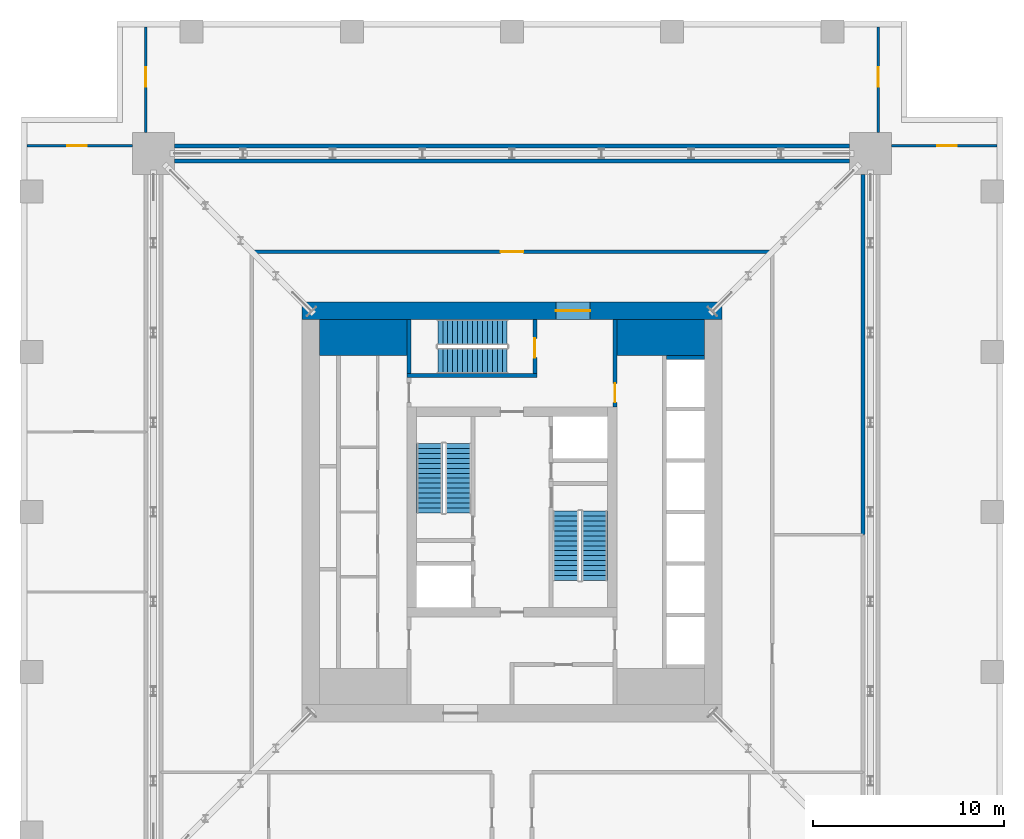
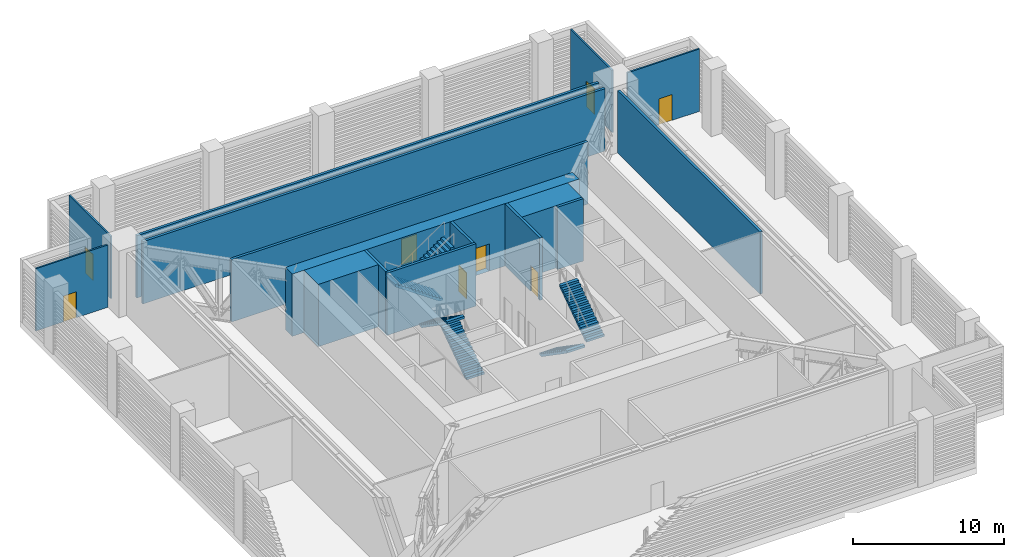
# One storey, part 11 of 16: 16 walls, 8 doors, 6 stair flights, 8 openings, 3 elements without a shape of their own.
"""IFC4 building model written with IfcOpenShell, lengths in metres."""

from ifc_helpers import new_model, si_unit, direction, frame, frame_2d, origin, place, context, subcontext, project, spatial, polyline, rectangle, outline, extrude, material, layer, layer_set, type_object, element, fill, aggregate, save


model = new_model("IFC4")

# Units and contexts
model_context = context("Model", 3, precision=1e-05, world=origin(), true_north=direction((0.0, 1.0)))
body_context = subcontext(model_context, "Body", "Model", "MODEL_VIEW")
ifc_project = project(units=[si_unit("LENGTHUNIT", "METRE"), si_unit("AREAUNIT", "SQUARE_METRE"), si_unit("VOLUMEUNIT", "CUBIC_METRE"), si_unit("PLANEANGLEUNIT", "RADIAN"), si_unit("MASSUNIT", "GRAM", prefix="KILO")], contexts=[model_context])

# Site, building, storey
site_placement = place(None, origin())
site = spatial("IfcSite", under=ifc_project, at=site_placement, CompositionType="ELEMENT")
building_placement = place(site_placement, origin())
building = spatial("IfcBuilding", under=site, at=building_placement, Name="Khepri Terraces", CompositionType="ELEMENT")
storey_placement = place(building_placement, frame((0.0, 0.0, 287.39990234375)))
storey = spatial("IfcBuildingStorey", under=building, at=storey_placement, Name="L69", CompositionType="ELEMENT", Elevation=287.39990234375)

# Walls
ifc_material_1 = material(Name="Concrete C40/50", Category="concrete")
ifc_layer_1 = layer(ifc_material_1, 1.89990234375, Name="Concrete C40/50", Category="concrete")
ifc_layer_set_1 = layer_set([ifc_layer_1], Name="Concrete C40/50")
wall_type_1 = type_object("IfcWallType", Name="Core wall 1900 C40/50", PredefinedType="SHEAR", material=ifc_layer_set_1)
for number, where, z_axis, x_axis, name in (
    (1, (-10.10009765625, 9.14990234375, 0.0), (0.0, 0.0, 1.0), (1.0, 0.0, 0.0), "Core wall PR03 L69"),
    (2, (5.5, 9.14990234375, 0.0), (0.0, 0.0, 1.0), (1.0, 0.0, 0.0), "Core wall PR04 L69"),
):
    element("IfcWall", number, at=place(storey_placement, frame(where, z_axis=z_axis, x_axis=x_axis)), inside=storey, type_object=wall_type_1, Name=name, PredefinedType="SHEAR", context=body_context, shape_type="SweptSolid", body=[
        extrude(rectangle(XDim=4.60009765625, YDim=1.89990234375, at=frame_2d((2.300048828125, 0.0))), origin(), (0.0, 0.0, 1.0), 5.050048828125),
    ])
ifc_layer_2 = layer(ifc_material_1, 0.199951171875, Name="Concrete C40/50", Category="concrete")
ifc_layer_set_2 = layer_set([ifc_layer_2], Name="Concrete C40/50")
wall_type_2 = type_object("IfcWallType", Name="Core wall 200 C40/50", PredefinedType="SHEAR", material=ifc_layer_set_2)
wall_1_placement = place(storey_placement, frame((-5.5, 7.14990234375, 0.0), z_axis=(0.0, 0.0, 1.0), x_axis=(1.0, 0.0, 0.0)))
element("IfcWall", 3, at=wall_1_placement, inside=storey, type_object=wall_type_2, Name="Core wall ST05 L69", PredefinedType="SHEAR", context=body_context, shape_type="SweptSolid", body=[
    extrude(rectangle(XDim=6.800048828125, YDim=0.199951171875, at=frame_2d((3.39990234375, 0.0))), origin(), (0.0, 0.0, 1.0), 5.050048828125),
])
wall_2_placement = place(storey_placement, frame((-5.39990234375, 7.25, 0.0), z_axis=(0.0, 0.0, 1.0), x_axis=(0.0, 1.0, 0.0)))
element("IfcWall", 4, at=wall_2_placement, inside=storey, type_object=wall_type_2, Name="Core wall ST06 L69", PredefinedType="SHEAR", context=body_context, shape_type="SweptSolid", body=[
    extrude(rectangle(XDim=2.85009765625, YDim=0.199951171875, at=frame_2d((1.425048828125, 0.0))), origin(), (0.0, 0.0, 1.0), 5.050048828125),
])

# Wall, opening, door
wall_3_placement = place(storey_placement, frame((1.199951171875, 7.25, 0.0), z_axis=(0.0, 0.0, 1.0), x_axis=(0.0, 1.0, 0.0)))
wall_3 = element("IfcWall", 5, at=wall_3_placement, inside=storey, type_object=wall_type_2, Name="Core wall ST07 L69", PredefinedType="SHEAR", context=body_context, shape_type="SweptSolid", body=[
    extrude(rectangle(XDim=2.85009765625, YDim=0.199951171875, at=frame_2d((1.425048828125, 0.0))), origin(), (0.0, 0.0, 1.0), 5.050048828125),
])
opening_1_placement = place(wall_3_placement, frame((0.85009765625, 0.0, 0.0)))
opening_1 = element("IfcOpeningElement", 6, at=opening_1_placement, cuts=wall_3, Name="Opening L69-C09", PredefinedType="OPENING", context=body_context, shape_type="SweptSolid", body=[
    extrude(rectangle(XDim=1.0, YDim=2.10009765625, at=frame_2d((0.5, 1.050048828125))), frame((0.0, 0.10986328125, 0.0), z_axis=(0.0, -1.0, 0.0), x_axis=(1.0, 0.0, 0.0)), (0.0, 0.0, 1.0), 0.219970703125),
])
ifc_material_2 = material(Name="Painted steel", Category="steel")
door_type_1 = type_object("IfcDoorType", Name="DR-CORE-STAIR-1000", OperationType="NOTDEFINED", PredefinedType="DOOR", material=ifc_material_2)
door_1_placement = place(opening_1_placement, origin())
door_1 = element("IfcDoor", 7, at=door_1_placement, inside=storey, type_object=door_type_1, Name="Stair door L69-C09", OperationType="SINGLE_SWING_LEFT", OverallHeight=2.10009765625, OverallWidth=1.0, PredefinedType="DOOR", context=body_context, shape_type="SweptSolid", body=[
    extrude(rectangle(XDim=1.0, YDim=2.10009765625, at=frame_2d((0.5, 1.050048828125))), frame((0.0, 0.02490234375, 0.0), z_axis=(0.0, -1.0, 0.0), x_axis=(1.0, 0.0, 0.0)), (0.0, 0.0, 1.0), 0.050048828125),
])
fill(opening_1, door_1)

# Wall
wall_4_placement = place(storey_placement, frame((8.10009765625, 8.10009765625, 0.0), z_axis=(0.0, 0.0, 1.0), x_axis=(1.0, 0.0, 0.0)))
element("IfcWall", 8, at=wall_4_placement, inside=storey, type_object=wall_type_2, Name="Core wall SH15 L69", PredefinedType="SHEAR", context=body_context, shape_type="SweptSolid", body=[
    extrude(rectangle(XDim=2.0, YDim=0.199951171875, at=frame_2d((1.0, 0.0))), origin(), (0.0, 0.0, 1.0), 5.050048828125),
])

# Wall, opening, door
ifc_layer_3 = layer(ifc_material_1, 0.89990234375, Name="Concrete C40/50", Category="concrete")
ifc_layer_set_3 = layer_set([ifc_layer_3], Name="Concrete C40/50")
wall_type_3 = type_object("IfcWallType", Name="Core wall 900 C40/50", PredefinedType="SHEAR", material=ifc_layer_set_3)
wall_5_placement = place(storey_placement, frame((-11.0, 10.550048828125, 0.0), z_axis=(0.0, 0.0, 1.0), x_axis=(1.0, 0.0, 0.0)))
wall_5 = element("IfcWall", 9, at=wall_5_placement, inside=storey, type_object=wall_type_3, Name="Core wall OW-N L69", PredefinedType="SHEAR", context=body_context, shape_type="SweptSolid", body=[
    extrude(rectangle(XDim=22.0, YDim=0.89990234375, at=frame_2d((11.0, 0.0))), origin(), (0.0, 0.0, 1.0), 5.050048828125),
])
opening_2_placement = place(wall_5_placement, frame((13.300048828125, 0.0, 0.0)))
opening_2 = element("IfcOpeningElement", 10, at=opening_2_placement, cuts=wall_5, Name="Opening L69-C14", PredefinedType="OPENING", context=body_context, shape_type="SweptSolid", body=[
    extrude(rectangle(XDim=1.800048828125, YDim=2.199951171875, at=frame_2d((0.89990234375, 1.10009765625))), frame((0.0, 0.4599609375, 0.0), z_axis=(0.0, -1.0, 0.0), x_axis=(1.0, 0.0, 0.0)), (0.0, 0.0, 1.0), 0.919921875),
])
door_type_2 = type_object("IfcDoorType", Name="DR-CORE-ENTRANCE-1800", OperationType="NOTDEFINED", PredefinedType="DOOR", material=ifc_material_2)
door_2_placement = place(opening_2_placement, origin())
door_2 = element("IfcDoor", 11, at=door_2_placement, inside=storey, type_object=door_type_2, Name="Core entrance door pair L69-C14", OperationType="DOUBLE_DOOR_SINGLE_SWING", OverallHeight=2.199951171875, OverallWidth=1.800048828125, PredefinedType="DOOR", context=body_context, shape_type="SweptSolid", body=[
    extrude(rectangle(XDim=1.800048828125, YDim=2.199951171875, at=frame_2d((0.89990234375, 1.10009765625))), frame((0.0, 0.02490234375, 0.0), z_axis=(0.0, -1.0, 0.0), x_axis=(1.0, 0.0, 0.0)), (0.0, 0.0, 1.0), 0.050048828125),
])
fill(opening_2, door_2)

ifc_material_3 = material(Name="Fire-rated gypsum board partition")
ifc_layer_4 = layer(ifc_material_3, 0.199951171875, Name="Fire-rated gypsum board partition")
ifc_layer_set_4 = layer_set([ifc_layer_4], Name="Fire-rated gypsum board partition")
wall_type_4 = type_object("IfcWallType", Name="WL-CORE-PART-200", PredefinedType="PARTITIONING", material=ifc_layer_set_4)
wall_6_placement = place(storey_placement, frame((5.39990234375, 5.5, 0.0), z_axis=(0.0, 0.0, 1.0), x_axis=(0.0, 1.0, 0.0)))
wall_6 = element("IfcWall", 12, at=wall_6_placement, inside=storey, type_object=wall_type_4, Name="Core partition PT10 L69", PredefinedType="PARTITIONING", context=body_context, shape_type="SweptSolid", body=[
    extrude(rectangle(XDim=4.60009765625, YDim=0.199951171875, at=frame_2d((2.300048828125, 0.0))), origin(), (0.0, 0.0, 1.0), 5.050048828125),
])
opening_3_placement = place(wall_6_placement, frame((0.25, 0.0, 0.0)))
opening_3 = element("IfcOpeningElement", 13, at=opening_3_placement, cuts=wall_6, Name="Opening L69-C11", PredefinedType="OPENING", context=body_context, shape_type="SweptSolid", body=[
    extrude(rectangle(XDim=1.0, YDim=2.10009765625, at=frame_2d((0.5, 1.050048828125))), frame((0.0, 0.10986328125, 0.0), z_axis=(0.0, -1.0, 0.0), x_axis=(1.0, 0.0, 0.0)), (0.0, 0.0, 1.0), 0.219970703125),
])
door_type_3 = type_object("IfcDoorType", Name="DR-CORE-LOBBY-1000", OperationType="NOTDEFINED", PredefinedType="DOOR", material=ifc_material_2)
door_3_placement = place(opening_3_placement, origin())
door_3 = element("IfcDoor", 14, at=door_3_placement, inside=storey, type_object=door_type_3, Name="Lobby door L69-C11", OperationType="SINGLE_SWING_LEFT", OverallHeight=2.10009765625, OverallWidth=1.0, PredefinedType="DOOR", context=body_context, shape_type="SweptSolid", body=[
    extrude(rectangle(XDim=1.0, YDim=2.10009765625, at=frame_2d((0.5, 1.050048828125))), frame((0.0, 0.02490234375, 0.0), z_axis=(0.0, -1.0, 0.0), x_axis=(1.0, 0.0, 0.0)), (0.0, 0.0, 1.0), 0.050048828125),
])
fill(opening_3, door_3)

# Wall
ifc_material_4 = material(Name="Fire-rated gypsum plasterboard partition, mineral wool")
ifc_layer_5 = layer(ifc_material_4, 0.199951171875, Name="Fire-rated gypsum plasterboard partition, mineral wool")
ifc_layer_set_5 = layer_set([ifc_layer_5], Name="Fire-rated gypsum plasterboard partition, mineral wool")
wall_type_5 = type_object("IfcWallType", Name="WL-CORR-200", PredefinedType="PARTITIONING", material=ifc_layer_set_5)
wall_7_placement = place(storey_placement, frame((18.39990234375, -1.179931640625, 0.0), z_axis=(0.0, 0.0, 1.0), x_axis=(0.0, 1.0, 0.0)))
element("IfcWall", 15, at=wall_7_placement, inside=storey, type_object=wall_type_5, Name="Partition P-031 L69", PredefinedType="PARTITIONING", context=body_context, shape_type="SweptSolid", body=[
    extrude(rectangle(XDim=18.8798828125, YDim=0.199951171875, at=frame_2d((9.43994140625, 0.0))), origin(), (0.0, 0.0, 1.0), 5.050048828125),
])

# Wall, opening, door
wall_8_placement = place(storey_placement, frame((-13.64990234375, 13.64990234375, 0.0), z_axis=(0.0, 0.0, 1.0), x_axis=(1.0, 0.0, 0.0)))
wall_8 = element("IfcWall", 16, at=wall_8_placement, inside=storey, type_object=wall_type_5, Name="Partition P-034 L69", PredefinedType="PARTITIONING", context=body_context, shape_type="SweptSolid", body=[
    extrude(rectangle(XDim=27.2998046875, YDim=0.199951171875, at=frame_2d((13.64990234375, 0.0))), origin(), (0.0, 0.0, 1.0), 5.050048828125),
])
opening_4_placement = place(wall_8_placement, frame((13.050048828125, 0.0, 0.0)))
opening_4 = element("IfcOpeningElement", 17, at=opening_4_placement, cuts=wall_8, Name="Opening D6", PredefinedType="OPENING", context=body_context, shape_type="SweptSolid", body=[
    extrude(rectangle(XDim=1.199951171875, YDim=2.10009765625, at=frame_2d((0.60009765625, 1.050048828125))), frame((0.0, 0.10986328125, 0.0), z_axis=(0.0, -1.0, 0.0), x_axis=(1.0, 0.0, 0.0)), (0.0, 0.0, 1.0), 0.219970703125),
])
ifc_material_5 = material(Name="Timber door leaf, public room, fire-rated", Category="wood")
door_type_4 = type_object("IfcDoorType", Name="DR-PUB-1200", OperationType="NOTDEFINED", PredefinedType="DOOR", material=ifc_material_5)
door_4_placement = place(opening_4_placement, origin())
door_4 = element("IfcDoor", 18, at=door_4_placement, inside=storey, type_object=door_type_4, Name="Door Refuge Area", OperationType="SINGLE_SWING_RIGHT", OverallHeight=2.10009765625, OverallWidth=1.199951171875, PredefinedType="DOOR", context=body_context, shape_type="SweptSolid", body=[
    extrude(rectangle(XDim=1.199951171875, YDim=2.10009765625, at=frame_2d((0.60009765625, 1.050048828125))), frame((0.0, 0.02490234375, 0.0), z_axis=(0.0, -1.0, 0.0), x_axis=(1.0, 0.0, 0.0)), (0.0, 0.0, 1.0), 0.050048828125),
])
fill(opening_4, door_4)

# Walls
for number, where, z_axis, x_axis, name in (
    (19, (-17.699951171875, 18.39990234375, 0.0), (0.0, 0.0, 1.0), (1.0, 0.0, 0.0), "Partition P-035 L69"),
    (20, (-17.699951171875, 19.199951171875, 0.0), (0.0, 0.0, 1.0), (1.0, 0.0, 0.0), "Partition P-037 L69"),
):
    element("IfcWall", number, at=place(storey_placement, frame(where, z_axis=z_axis, x_axis=x_axis)), inside=storey, type_object=wall_type_5, Name=name, PredefinedType="PARTITIONING", context=body_context, shape_type="SweptSolid", body=[
        extrude(rectangle(XDim=35.39990234375, YDim=0.199951171875, at=frame_2d((17.699951171875, 0.0))), origin(), (0.0, 0.0, 1.0), 5.050048828125),
    ])

# Wall, opening, door
ifc_material_6 = material(Name="Gypsum plasterboard partition")
ifc_layer_6 = layer(ifc_material_6, 0.1201171875, Name="Gypsum plasterboard partition")
ifc_layer_set_6 = layer_set([ifc_layer_6], Name="Gypsum plasterboard partition")
wall_type_6 = type_object("IfcWallType", Name="WL-PART-120", PredefinedType="PARTITIONING", material=ifc_layer_set_6)
wall_9_placement = place(storey_placement, frame((-25.419921875, 19.199951171875, 0.0), z_axis=(0.0, 0.0, 1.0), x_axis=(1.0, 0.0, 0.0)))
wall_9 = element("IfcWall", 21, at=wall_9_placement, inside=storey, type_object=wall_type_6, Name="Partition P-036 L69", PredefinedType="PARTITIONING", context=body_context, shape_type="SweptSolid", body=[
    extrude(rectangle(XDim=5.52001953125, YDim=0.1201171875, at=frame_2d((2.760009765625, 0.0))), origin(), (0.0, 0.0, 1.0), 5.050048828125),
])
opening_5_placement = place(wall_9_placement, frame((2.110107421875, 0.0, 0.0)))
opening_5 = element("IfcOpeningElement", 22, at=opening_5_placement, cuts=wall_9, Name="Opening D2", PredefinedType="OPENING", context=body_context, shape_type="SweptSolid", body=[
    extrude(rectangle(XDim=1.0, YDim=2.10009765625, at=frame_2d((0.5, 1.050048828125))), frame((0.0, 0.070068359375, 0.0), z_axis=(0.0, -1.0, 0.0), x_axis=(1.0, 0.0, 0.0)), (0.0, 0.0, 1.0), 0.14013671875),
])
ifc_material_7 = material(Name="Timber door leaf, living room door", Category="wood")
door_type_5 = type_object("IfcDoorType", Name="DR-INT-1000", OperationType="NOTDEFINED", PredefinedType="DOOR", material=ifc_material_7)
door_5_placement = place(opening_5_placement, frame((1.0, 0.0, 0.0), z_axis=(0.0, 0.0, 1.0), x_axis=(-1.0, 0.0, 0.0)))
door_5 = element("IfcDoor", 23, at=door_5_placement, inside=storey, type_object=door_type_5, Name="Door Exhaust Fan Room", OperationType="SINGLE_SWING_RIGHT", OverallHeight=2.10009765625, OverallWidth=1.0, PredefinedType="DOOR", context=body_context, shape_type="SweptSolid", body=[
    extrude(rectangle(XDim=1.0, YDim=2.10009765625, at=frame_2d((0.5, 1.050048828125))), frame((0.0, 0.02490234375, 0.0), z_axis=(0.0, -1.0, 0.0), x_axis=(1.0, 0.0, 0.0)), (0.0, 0.0, 1.0), 0.050048828125),
])
fill(opening_5, door_5)

wall_10_placement = place(storey_placement, frame((19.89990234375, 19.199951171875, 0.0), z_axis=(0.0, 0.0, 1.0), x_axis=(1.0, 0.0, 0.0)))
wall_10 = element("IfcWall", 24, at=wall_10_placement, inside=storey, type_object=wall_type_6, Name="Partition P-038 L69", PredefinedType="PARTITIONING", context=body_context, shape_type="SweptSolid", body=[
    extrude(rectangle(XDim=5.52001953125, YDim=0.1201171875, at=frame_2d((2.760009765625, 0.0))), origin(), (0.0, 0.0, 1.0), 5.050048828125),
])
opening_6_placement = place(wall_10_placement, frame((2.409912109375, 0.0, 0.0)))
opening_6 = element("IfcOpeningElement", 25, at=opening_6_placement, cuts=wall_10, Name="Opening D2", PredefinedType="OPENING", context=body_context, shape_type="SweptSolid", body=[
    extrude(rectangle(XDim=1.0, YDim=2.10009765625, at=frame_2d((0.5, 1.050048828125))), frame((0.0, 0.070068359375, 0.0), z_axis=(0.0, -1.0, 0.0), x_axis=(1.0, 0.0, 0.0)), (0.0, 0.0, 1.0), 0.14013671875),
])
door_6_placement = place(opening_6_placement, origin())
door_6 = element("IfcDoor", 26, at=door_6_placement, inside=storey, type_object=door_type_5, Name="Door Transformer Room", OperationType="SINGLE_SWING_RIGHT", OverallHeight=2.10009765625, OverallWidth=1.0, PredefinedType="DOOR", context=body_context, shape_type="SweptSolid", body=[
    extrude(rectangle(XDim=1.0, YDim=2.10009765625, at=frame_2d((0.5, 1.050048828125))), frame((0.0, 0.02490234375, 0.0), z_axis=(0.0, -1.0, 0.0), x_axis=(1.0, 0.0, 0.0)), (0.0, 0.0, 1.0), 0.050048828125),
])
fill(opening_6, door_6)

wall_11_placement = place(storey_placement, frame((-19.199951171875, 19.89990234375, 0.0), z_axis=(0.0, 0.0, 1.0), x_axis=(0.0, 1.0, 0.0)))
wall_11 = element("IfcWall", 27, at=wall_11_placement, inside=storey, type_object=wall_type_6, Name="Partition P-039 L69", PredefinedType="PARTITIONING", context=body_context, shape_type="SweptSolid", body=[
    extrude(rectangle(XDim=5.52001953125, YDim=0.1201171875, at=frame_2d((2.760009765625, 0.0))), origin(), (0.0, 0.0, 1.0), 5.050048828125),
])
opening_7_placement = place(wall_11_placement, frame((2.409912109375, 0.0, 0.0)))
opening_7 = element("IfcOpeningElement", 28, at=opening_7_placement, cuts=wall_11, Name="Opening D2", PredefinedType="OPENING", context=body_context, shape_type="SweptSolid", body=[
    extrude(rectangle(XDim=1.0, YDim=2.10009765625, at=frame_2d((0.5, 1.050048828125))), frame((0.0, 0.070068359375, 0.0), z_axis=(0.0, -1.0, 0.0), x_axis=(1.0, 0.0, 0.0)), (0.0, 0.0, 1.0), 0.14013671875),
])
door_7_placement = place(opening_7_placement, origin())
door_7 = element("IfcDoor", 29, at=door_7_placement, inside=storey, type_object=door_type_5, Name="Door Pump Room", OperationType="SINGLE_SWING_RIGHT", OverallHeight=2.10009765625, OverallWidth=1.0, PredefinedType="DOOR", context=body_context, shape_type="SweptSolid", body=[
    extrude(rectangle(XDim=1.0, YDim=2.10009765625, at=frame_2d((0.5, 1.050048828125))), frame((0.0, 0.02490234375, 0.0), z_axis=(0.0, -1.0, 0.0), x_axis=(1.0, 0.0, 0.0)), (0.0, 0.0, 1.0), 0.050048828125),
])
fill(opening_7, door_7)

wall_12_placement = place(storey_placement, frame((19.199951171875, 19.89990234375, 0.0), z_axis=(0.0, 0.0, 1.0), x_axis=(0.0, 1.0, 0.0)))
wall_12 = element("IfcWall", 30, at=wall_12_placement, inside=storey, type_object=wall_type_6, Name="Partition P-040 L69", PredefinedType="PARTITIONING", context=body_context, shape_type="SweptSolid", body=[
    extrude(rectangle(XDim=5.52001953125, YDim=0.1201171875, at=frame_2d((2.760009765625, 0.0))), origin(), (0.0, 0.0, 1.0), 5.050048828125),
])
opening_8_placement = place(wall_12_placement, frame((2.409912109375, 0.0, 0.0)))
opening_8 = element("IfcOpeningElement", 31, at=opening_8_placement, cuts=wall_12, Name="Opening D2", PredefinedType="OPENING", context=body_context, shape_type="SweptSolid", body=[
    extrude(rectangle(XDim=1.0, YDim=2.10009765625, at=frame_2d((0.5, 1.050048828125))), frame((0.0, 0.070068359375, 0.0), z_axis=(0.0, -1.0, 0.0), x_axis=(1.0, 0.0, 0.0)), (0.0, 0.0, 1.0), 0.14013671875),
])
door_8_placement = place(opening_8_placement, origin())
door_8 = element("IfcDoor", 32, at=door_8_placement, inside=storey, type_object=door_type_5, Name="Door Air Handling Plant Hall", OperationType="SINGLE_SWING_RIGHT", OverallHeight=2.10009765625, OverallWidth=1.0, PredefinedType="DOOR", context=body_context, shape_type="SweptSolid", body=[
    extrude(rectangle(XDim=1.0, YDim=2.10009765625, at=frame_2d((0.5, 1.050048828125))), frame((0.0, 0.02490234375, 0.0), z_axis=(0.0, -1.0, 0.0), x_axis=(1.0, 0.0, 0.0)), (0.0, 0.0, 1.0), 0.050048828125),
])
fill(opening_8, door_8)

# Stair, stair flights
stair_type = type_object("IfcStairType", Name="STAIR-RC-30R", PredefinedType="HALF_TURN_STAIR", material=ifc_material_1)
stair_1_placement = place(storey_placement, origin())
stair_1 = element("IfcStair", 33, at=stair_1_placement, inside=storey, type_object=stair_type, Name="L69 Exit Stair ST-1", PredefinedType="HALF_TURN_STAIR")
stair_flight_type = type_object("IfcStairFlightType", Name="SFL-RC-180", PredefinedType="STRAIGHT", material=ifc_material_1)
stair_flight_1_placement = place(storey_placement, frame((-2.824951171875, -0.050048828125, 0.0), z_axis=(0.0, 0.0, 1.0), x_axis=(0.0, 1.0, 0.0)))
stair_flight_1 = element("IfcStairFlight", 34, at=stair_flight_1_placement, type_object=stair_flight_type, Name="ST-1 flight 1", NumberOfRisers=15, NumberOfTreads=14, PredefinedType="STRAIGHT", RiserHeight=0.18, TreadLength=0.26, context=body_context, shape_type="SweptSolid", body=[
    extrude(outline(polyline([(0.0, 0.0), (0.0, 0.179931640625), (0.260009765625, 0.179931640625), (0.260009765625, 0.360107421875), (0.52001953125, 0.360107421875), (0.52001953125, 0.5400390625), (0.780029296875, 0.5400390625), (0.780029296875, 0.719970703125), (1.0400390625, 0.719970703125), (1.0400390625, 0.89990234375), (1.300048828125, 0.89990234375), (1.300048828125, 1.080078125), (1.56005859375, 1.080078125), (1.56005859375, 1.260009765625), (1.820068359375, 1.260009765625), (1.820068359375, 1.43994140625), (2.080078125, 1.43994140625), (2.080078125, 1.6201171875), (2.340087890625, 1.6201171875), (2.340087890625, 1.800048828125), (2.60009765625, 1.800048828125), (2.60009765625, 1.97998046875), (2.860107421875, 1.97998046875), (2.860107421875, 2.159912109375), (3.1201171875, 2.159912109375), (3.1201171875, 2.340087890625), (3.3798828125, 2.340087890625), (3.3798828125, 2.52001953125), (3.639892578125, 2.52001953125), (3.639892578125, 2.699951171875), (3.639892578125, 2.337646484375), (0.263427734375, 0.0), (0.0, 0.0)])), frame((0.0, 0.675048828125, 0.0), z_axis=(0.0, -1.0, 0.0), x_axis=(1.0, 0.0, 0.0)), (0.0, 0.0, 1.0), 1.35009765625),
])
stair_flight_2_placement = place(storey_placement, frame((-4.324951171875, 3.590087890625, 2.7001953125), z_axis=(0.0, 0.0, 1.0), x_axis=(0.0, -1.0, 0.0)))
stair_flight_2 = element("IfcStairFlight", 35, at=stair_flight_2_placement, type_object=stair_flight_type, Name="ST-1 flight 2", NumberOfRisers=15, NumberOfTreads=14, PredefinedType="STRAIGHT", RiserHeight=0.18, TreadLength=0.26, context=body_context, shape_type="SweptSolid", body=[
    extrude(outline(polyline([(0.0, 0.0), (0.0, 0.179931640625), (0.260009765625, 0.179931640625), (0.260009765625, 0.360107421875), (0.52001953125, 0.360107421875), (0.52001953125, 0.5400390625), (0.780029296875, 0.5400390625), (0.780029296875, 0.719970703125), (1.0400390625, 0.719970703125), (1.0400390625, 0.89990234375), (1.300048828125, 0.89990234375), (1.300048828125, 1.080078125), (1.56005859375, 1.080078125), (1.56005859375, 1.260009765625), (1.820068359375, 1.260009765625), (1.820068359375, 1.43994140625), (2.080078125, 1.43994140625), (2.080078125, 1.6201171875), (2.340087890625, 1.6201171875), (2.340087890625, 1.800048828125), (2.60009765625, 1.800048828125), (2.60009765625, 1.97998046875), (2.860107421875, 1.97998046875), (2.860107421875, 2.159912109375), (3.1201171875, 2.159912109375), (3.1201171875, 2.340087890625), (3.3798828125, 2.340087890625), (3.3798828125, 2.52001953125), (3.639892578125, 2.52001953125), (3.639892578125, 2.699951171875), (3.639892578125, 2.337646484375), (0.263427734375, 0.0), (0.0, 0.0)])), frame((0.0, 0.675048828125, 0.0), z_axis=(0.0, -1.0, 0.0), x_axis=(1.0, 0.0, 0.0)), (0.0, 0.0, 1.0), 1.35009765625),
])
aggregate(stair_1, [stair_flight_1, stair_flight_2])

stair_2_placement = place(storey_placement, origin())
stair_2 = element("IfcStair", 36, at=stair_2_placement, inside=storey, type_object=stair_type, Name="L69 Exit Stair ST-2", PredefinedType="HALF_TURN_STAIR")
stair_flight_3_placement = place(storey_placement, frame((2.824951171875, 0.050048828125, 0.0), z_axis=(0.0, 0.0, 1.0), x_axis=(0.0, -1.0, 0.0)))
stair_flight_3 = element("IfcStairFlight", 37, at=stair_flight_3_placement, type_object=stair_flight_type, Name="ST-2 flight 1", NumberOfRisers=15, NumberOfTreads=14, PredefinedType="STRAIGHT", RiserHeight=0.18, TreadLength=0.26, context=body_context, shape_type="SweptSolid", body=[
    extrude(outline(polyline([(0.0, 0.0), (0.0, 0.179931640625), (0.260009765625, 0.179931640625), (0.260009765625, 0.360107421875), (0.52001953125, 0.360107421875), (0.52001953125, 0.5400390625), (0.780029296875, 0.5400390625), (0.780029296875, 0.719970703125), (1.0400390625, 0.719970703125), (1.0400390625, 0.89990234375), (1.300048828125, 0.89990234375), (1.300048828125, 1.080078125), (1.56005859375, 1.080078125), (1.56005859375, 1.260009765625), (1.820068359375, 1.260009765625), (1.820068359375, 1.43994140625), (2.080078125, 1.43994140625), (2.080078125, 1.6201171875), (2.340087890625, 1.6201171875), (2.340087890625, 1.800048828125), (2.60009765625, 1.800048828125), (2.60009765625, 1.97998046875), (2.860107421875, 1.97998046875), (2.860107421875, 2.159912109375), (3.1201171875, 2.159912109375), (3.1201171875, 2.340087890625), (3.3798828125, 2.340087890625), (3.3798828125, 2.52001953125), (3.639892578125, 2.52001953125), (3.639892578125, 2.699951171875), (3.639892578125, 2.337646484375), (0.263427734375, 0.0), (0.0, 0.0)])), frame((0.0, 0.675048828125, 0.0), z_axis=(0.0, -1.0, 0.0), x_axis=(1.0, 0.0, 0.0)), (0.0, 0.0, 1.0), 1.35009765625),
])
stair_flight_4_placement = place(storey_placement, frame((4.324951171875, -3.590087890625, 2.7001953125), z_axis=(0.0, 0.0, 1.0), x_axis=(0.0, 1.0, 0.0)))
stair_flight_4 = element("IfcStairFlight", 38, at=stair_flight_4_placement, type_object=stair_flight_type, Name="ST-2 flight 2", NumberOfRisers=15, NumberOfTreads=14, PredefinedType="STRAIGHT", RiserHeight=0.18, TreadLength=0.26, context=body_context, shape_type="SweptSolid", body=[
    extrude(outline(polyline([(0.0, 0.0), (0.0, 0.179931640625), (0.260009765625, 0.179931640625), (0.260009765625, 0.360107421875), (0.52001953125, 0.360107421875), (0.52001953125, 0.5400390625), (0.780029296875, 0.5400390625), (0.780029296875, 0.719970703125), (1.0400390625, 0.719970703125), (1.0400390625, 0.89990234375), (1.300048828125, 0.89990234375), (1.300048828125, 1.080078125), (1.56005859375, 1.080078125), (1.56005859375, 1.260009765625), (1.820068359375, 1.260009765625), (1.820068359375, 1.43994140625), (2.080078125, 1.43994140625), (2.080078125, 1.6201171875), (2.340087890625, 1.6201171875), (2.340087890625, 1.800048828125), (2.60009765625, 1.800048828125), (2.60009765625, 1.97998046875), (2.860107421875, 1.97998046875), (2.860107421875, 2.159912109375), (3.1201171875, 2.159912109375), (3.1201171875, 2.340087890625), (3.3798828125, 2.340087890625), (3.3798828125, 2.52001953125), (3.639892578125, 2.52001953125), (3.639892578125, 2.699951171875), (3.639892578125, 2.337646484375), (0.263427734375, 0.0), (0.0, 0.0)])), frame((0.0, 0.675048828125, 0.0), z_axis=(0.0, -1.0, 0.0), x_axis=(1.0, 0.0, 0.0)), (0.0, 0.0, 1.0), 1.35009765625),
])
aggregate(stair_2, [stair_flight_3, stair_flight_4])

stair_3_placement = place(storey_placement, origin())
stair_3 = element("IfcStair", 39, at=stair_3_placement, inside=storey, type_object=stair_type, Name="L69 Exit Stair ST-3", PredefinedType="HALF_TURN_STAIR")
stair_flight_5_placement = place(storey_placement, frame((-0.25, 9.425048828125, 0.0), z_axis=(0.0, 0.0, 1.0), x_axis=(-1.0, 0.0, 0.0)))
stair_flight_5 = element("IfcStairFlight", 40, at=stair_flight_5_placement, type_object=stair_flight_type, Name="ST-3 flight 1", NumberOfRisers=15, NumberOfTreads=14, PredefinedType="STRAIGHT", RiserHeight=0.18, TreadLength=0.26, context=body_context, shape_type="SweptSolid", body=[
    extrude(outline(polyline([(0.0, 0.0), (0.0, 0.179931640625), (0.260009765625, 0.179931640625), (0.260009765625, 0.360107421875), (0.52001953125, 0.360107421875), (0.52001953125, 0.5400390625), (0.780029296875, 0.5400390625), (0.780029296875, 0.719970703125), (1.0400390625, 0.719970703125), (1.0400390625, 0.89990234375), (1.300048828125, 0.89990234375), (1.300048828125, 1.080078125), (1.56005859375, 1.080078125), (1.56005859375, 1.260009765625), (1.820068359375, 1.260009765625), (1.820068359375, 1.43994140625), (2.080078125, 1.43994140625), (2.080078125, 1.6201171875), (2.340087890625, 1.6201171875), (2.340087890625, 1.800048828125), (2.60009765625, 1.800048828125), (2.60009765625, 1.97998046875), (2.860107421875, 1.97998046875), (2.860107421875, 2.159912109375), (3.1201171875, 2.159912109375), (3.1201171875, 2.340087890625), (3.3798828125, 2.340087890625), (3.3798828125, 2.52001953125), (3.639892578125, 2.52001953125), (3.639892578125, 2.699951171875), (3.639892578125, 2.337646484375), (0.263427734375, 0.0), (0.0, 0.0)])), frame((0.0, 0.675048828125, 0.0), z_axis=(0.0, -1.0, 0.0), x_axis=(1.0, 0.0, 0.0)), (0.0, 0.0, 1.0), 1.35009765625),
])
stair_flight_6_placement = place(storey_placement, frame((-3.889892578125, 7.925048828125, 2.7001953125), z_axis=(0.0, 0.0, 1.0), x_axis=(1.0, 0.0, 0.0)))
stair_flight_6 = element("IfcStairFlight", 41, at=stair_flight_6_placement, type_object=stair_flight_type, Name="ST-3 flight 2", NumberOfRisers=15, NumberOfTreads=14, PredefinedType="STRAIGHT", RiserHeight=0.18, TreadLength=0.26, context=body_context, shape_type="SweptSolid", body=[
    extrude(outline(polyline([(0.0, 0.0), (0.0, 0.179931640625), (0.260009765625, 0.179931640625), (0.260009765625, 0.360107421875), (0.52001953125, 0.360107421875), (0.52001953125, 0.5400390625), (0.780029296875, 0.5400390625), (0.780029296875, 0.719970703125), (1.0400390625, 0.719970703125), (1.0400390625, 0.89990234375), (1.300048828125, 0.89990234375), (1.300048828125, 1.080078125), (1.56005859375, 1.080078125), (1.56005859375, 1.260009765625), (1.820068359375, 1.260009765625), (1.820068359375, 1.43994140625), (2.080078125, 1.43994140625), (2.080078125, 1.6201171875), (2.340087890625, 1.6201171875), (2.340087890625, 1.800048828125), (2.60009765625, 1.800048828125), (2.60009765625, 1.97998046875), (2.860107421875, 1.97998046875), (2.860107421875, 2.159912109375), (3.1201171875, 2.159912109375), (3.1201171875, 2.340087890625), (3.3798828125, 2.340087890625), (3.3798828125, 2.52001953125), (3.639892578125, 2.52001953125), (3.639892578125, 2.699951171875), (3.639892578125, 2.337646484375), (0.263427734375, 0.0), (0.0, 0.0)])), frame((0.0, 0.675048828125, 0.0), z_axis=(0.0, -1.0, 0.0), x_axis=(1.0, 0.0, 0.0)), (0.0, 0.0, 1.0), 1.35009765625),
])
aggregate(stair_3, [stair_flight_5, stair_flight_6])

save(model, "model.ifc")
